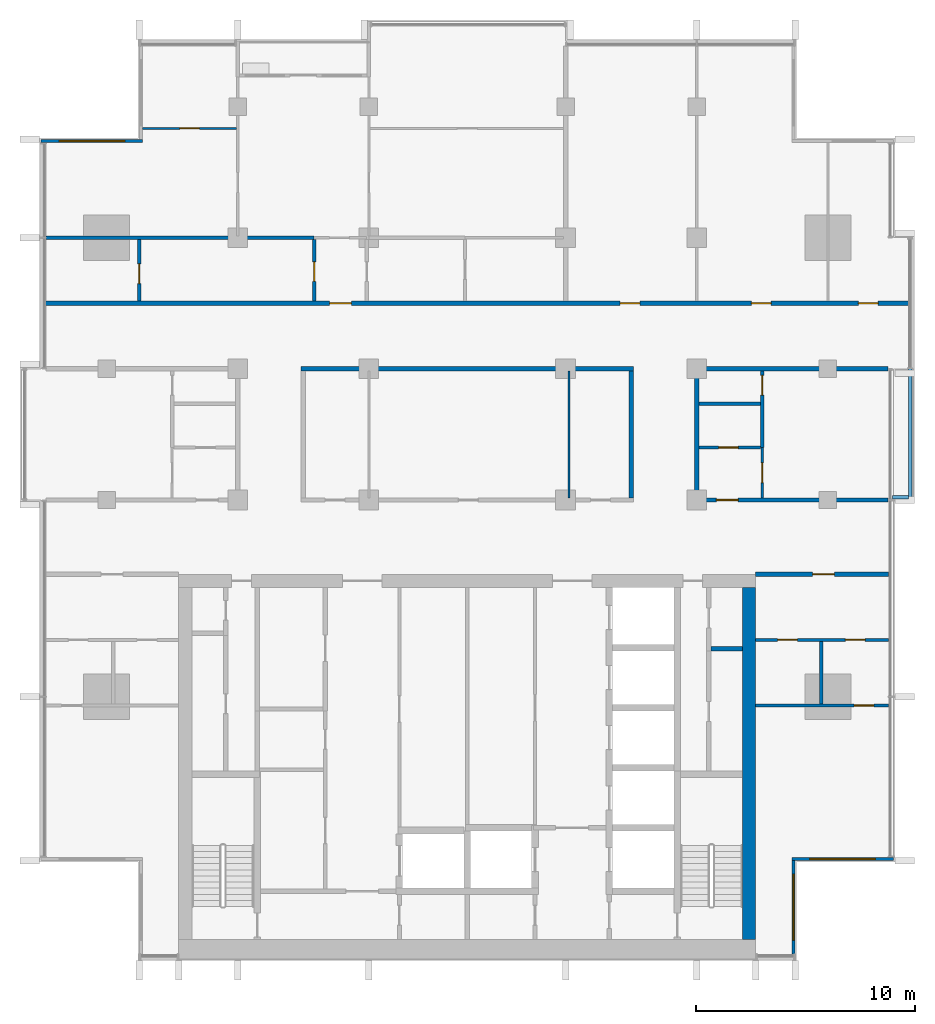
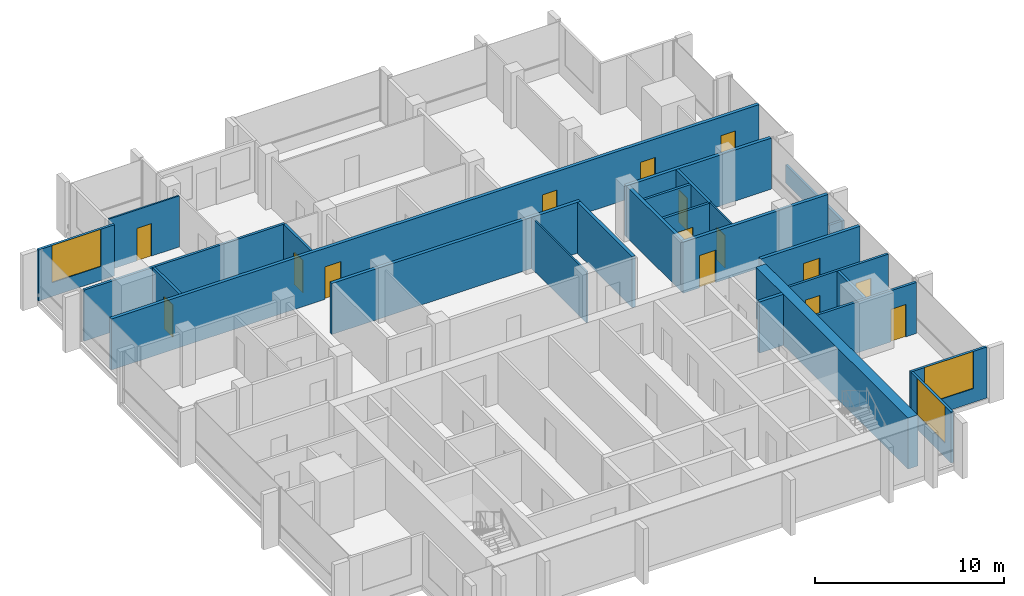
# One storey, part 9 of 15: 26 walls, 15 doors, 3 windows, 18 openings.
"""IFC4 building model written with IfcOpenShell, lengths in metres."""

from ifc_helpers import new_model, si_unit, direction, frame, frame_2d, origin, place, context, subcontext, project, spatial, rectangle, extrude, material, layer, layer_set, type_object, element, fill, save


model = new_model("IFC4")

# Units and contexts
model_context = context("Model", 3, precision=1e-05, world=origin(), true_north=direction((0.0, 1.0)))
body_context = subcontext(model_context, "Body", "Model", "MODEL_VIEW")
ifc_project = project(units=[si_unit("LENGTHUNIT", "METRE"), si_unit("AREAUNIT", "SQUARE_METRE"), si_unit("VOLUMEUNIT", "CUBIC_METRE"), si_unit("PLANEANGLEUNIT", "RADIAN"), si_unit("MASSUNIT", "GRAM", prefix="KILO")], contexts=[model_context])

# Site, building, storey
site_placement = place(None, origin())
site = spatial("IfcSite", under=ifc_project, at=site_placement, CompositionType="ELEMENT")
building_placement = place(site_placement, origin())
building = spatial("IfcBuilding", under=site, at=building_placement, Name="Finial Court Residences", CompositionType="ELEMENT")
storey_placement = place(building_placement, frame((0.0, 0.0, 226.699951171875)))
storey = spatial("IfcBuildingStorey", under=building, at=storey_placement, Name="L57", CompositionType="ELEMENT", Elevation=226.699951171875)

# Wall
ifc_material_1 = material(Name="Concrete C60/75", Category="concrete")
ifc_layer_1 = layer(ifc_material_1, 0.60009765625)
ifc_layer_set_1 = layer_set([ifc_layer_1], Name="Core outer wall 600 Concrete C60/75")
wall_type_1 = type_object("IfcWallType", Name="Core outer wall 600 Concrete C60/75", PredefinedType="SHEAR", material=ifc_layer_set_1)
wall_1_placement = place(storey_placement, frame((12.89990234375, -24.60009765625, 0.0), z_axis=(0.0, 0.0, 1.0), x_axis=(0.0, 1.0, 0.0)))
element("IfcWall", 1, at=wall_1_placement, inside=storey, type_object=wall_type_1, Name="Core outer wall L57-04", PredefinedType="SHEAR", context=body_context, shape_type="SweptSolid", body=[
    extrude(rectangle(XDim=16.10009765625, YDim=0.60009765625, at=frame_2d((8.050048828125, 0.0))), origin(), (0.0, 0.0, 1.0), 3.300048828125),
])

# Wall, opening, door
ifc_material_2 = material(Name="Gypsum board")
ifc_layer_2 = layer(ifc_material_2, 0.02490234375)
ifc_material_3 = material(Name="Acoustic mineral wool in double frame")
ifc_layer_3 = layer(ifc_material_3, 0.14990234375)
ifc_layer_4 = layer(ifc_material_2, 0.02490234375)
ifc_layer_set_2 = layer_set([ifc_layer_2, ifc_layer_3, ifc_layer_4], Name="Corridor wall 200, 1 hour")
wall_type_2 = type_object("IfcWallType", Name="Corridor wall 200, 1 hour", PredefinedType="PARTITIONING", material=ifc_layer_set_2)
wall_2_placement = place(storey_placement, frame((13.199951171875, -7.89990234375, 0.0), z_axis=(0.0, 0.0, 1.0), x_axis=(1.0, 0.0, 0.0)))
wall_2 = element("IfcWall", 2, at=wall_2_placement, inside=storey, type_object=wall_type_2, Name="Partition L57-005", PredefinedType="PARTITIONING", context=body_context, shape_type="SweptSolid", body=[
    extrude(rectangle(XDim=6.0625, YDim=0.199951171875, at=frame_2d((3.03125, 0.0))), origin(), (0.0, 0.0, 1.0), 3.300048828125),
])
opening_1_placement = place(wall_2_placement, frame((2.60009765625, 0.0, 0.0)))
opening_1 = element("IfcOpeningElement", 3, at=opening_1_placement, cuts=wall_2, Name="Opening L57-D008", PredefinedType="OPENING", context=body_context, shape_type="SweptSolid", body=[
    extrude(rectangle(XDim=1.0, YDim=2.10009765625, at=frame_2d((0.5, 1.050048828125))), frame((0.0, 0.10986328125, 0.0), z_axis=(0.0, -1.0, 0.0), x_axis=(1.0, 0.0, 0.0)), (0.0, 0.0, 1.0), 0.219970703125),
])
ifc_material_4 = material(Name="Timber door leaf in hollow metal frame", Category="wood")
door_type_1 = type_object("IfcDoorType", Name="Fire door set 1000 x 2100, 30 minutes", OperationType="SINGLE_SWING_LEFT", PredefinedType="DOOR", material=ifc_material_4)
door_1_placement = place(opening_1_placement, origin())
door_1 = element("IfcDoor", 4, at=door_1_placement, inside=storey, type_object=door_type_1, Name="Door L57-D008", OperationType="SINGLE_SWING_LEFT", OverallHeight=2.10009765625, OverallWidth=1.0, PredefinedType="DOOR", context=body_context, shape_type="SweptSolid", body=[
    extrude(rectangle(XDim=1.0, YDim=2.10009765625, at=frame_2d((0.5, 1.050048828125))), frame((0.0, 0.02490234375, 0.0), z_axis=(0.0, -1.0, 0.0), x_axis=(1.0, 0.0, 0.0)), (0.0, 0.0, 1.0), 0.050048828125),
])
fill(opening_1, door_1)

wall_3_placement = place(storey_placement, frame((10.39990234375, -4.5, 0.0), z_axis=(0.0, 0.0, 1.0), x_axis=(1.0, 0.0, 0.0)))
wall_3 = element("IfcWall", 5, at=wall_3_placement, inside=storey, type_object=wall_type_2, Name="Partition L57-008", PredefinedType="PARTITIONING", context=body_context, shape_type="SweptSolid", body=[
    extrude(rectangle(XDim=8.862548828125, YDim=0.199951171875, at=frame_2d((4.43115234375, 0.0))), origin(), (0.0, 0.0, 1.0), 3.300048828125),
])
opening_2_placement = place(wall_3_placement, frame((1.0, 0.0, 0.0)))
opening_2 = element("IfcOpeningElement", 6, at=opening_2_placement, cuts=wall_3, Name="Opening L57-D013", PredefinedType="OPENING", context=body_context, shape_type="SweptSolid", body=[
    extrude(rectangle(XDim=1.0, YDim=2.10009765625, at=frame_2d((0.5, 1.050048828125))), frame((0.0, 0.10986328125, 0.0), z_axis=(0.0, -1.0, 0.0), x_axis=(1.0, 0.0, 0.0)), (0.0, 0.0, 1.0), 0.219970703125),
])
door_2_placement = place(opening_2_placement, origin())
door_2 = element("IfcDoor", 7, at=door_2_placement, inside=storey, type_object=door_type_1, Name="Door L57-D013", OperationType="SINGLE_SWING_RIGHT", OverallHeight=2.10009765625, OverallWidth=1.0, PredefinedType="DOOR", context=body_context, shape_type="SweptSolid", body=[
    extrude(rectangle(XDim=1.0, YDim=2.10009765625, at=frame_2d((0.5, 1.050048828125))), frame((0.0, 0.02490234375, 0.0), z_axis=(0.0, -1.0, 0.0), x_axis=(1.0, 0.0, 0.0)), (0.0, 0.0, 1.0), 0.050048828125),
])
fill(opening_2, door_2)

# Walls
wall_4_placement = place(storey_placement, frame((-7.60009765625, 1.5, 0.0), z_axis=(0.0, 0.0, 1.0), x_axis=(1.0, 0.0, 0.0)))
element("IfcWall", 8, at=wall_4_placement, inside=storey, type_object=wall_type_2, Name="Partition L57-014", PredefinedType="PARTITIONING", context=body_context, shape_type="SweptSolid", body=[
    extrude(rectangle(XDim=15.2001953125, YDim=0.199951171875, at=frame_2d((7.60009765625, 0.0))), origin(), (0.0, 0.0, 1.0), 3.300048828125),
])
wall_5_placement = place(storey_placement, frame((10.39990234375, 1.5, 0.0), z_axis=(0.0, 0.0, 1.0), x_axis=(1.0, 0.0, 0.0)))
element("IfcWall", 9, at=wall_5_placement, inside=storey, type_object=wall_type_2, Name="Partition L57-015", PredefinedType="PARTITIONING", context=body_context, shape_type="SweptSolid", body=[
    extrude(rectangle(XDim=8.862548828125, YDim=0.199951171875, at=frame_2d((4.43115234375, 0.0))), origin(), (0.0, 0.0, 1.0), 3.300048828125),
])

# Wall, openings, doors
wall_6_placement = place(storey_placement, frame((-19.35009765625, 4.5, 0.0), z_axis=(0.0, 0.0, 1.0), x_axis=(1.0, 0.0, 0.0)))
wall_6 = element("IfcWall", 10, at=wall_6_placement, inside=storey, type_object=wall_type_2, Name="Partition L57-016", PredefinedType="PARTITIONING", context=body_context, shape_type="SweptSolid", body=[
    extrude(rectangle(XDim=39.60009765625, YDim=0.199951171875, at=frame_2d((19.800048828125, 0.0))), origin(), (0.0, 0.0, 1.0), 3.300048828125),
])
opening_3_placement = place(wall_6_placement, frame((13.050048828125, 0.0, 0.0)))
opening_3 = element("IfcOpeningElement", 11, at=opening_3_placement, cuts=wall_6, Name="Opening L57-D016", PredefinedType="OPENING", context=body_context, shape_type="SweptSolid", body=[
    extrude(rectangle(XDim=1.0, YDim=2.10009765625, at=frame_2d((0.5, 1.050048828125))), frame((0.0, 0.10986328125, 0.0), z_axis=(0.0, -1.0, 0.0), x_axis=(1.0, 0.0, 0.0)), (0.0, 0.0, 1.0), 0.219970703125),
])
opening_4_placement = place(wall_6_placement, frame((26.35009765625, 0.0, 0.0)))
opening_4 = element("IfcOpeningElement", 12, at=opening_4_placement, cuts=wall_6, Name="Opening L57-D017", PredefinedType="OPENING", context=body_context, shape_type="SweptSolid", body=[
    extrude(rectangle(XDim=0.89990234375, YDim=2.10009765625, at=frame_2d((0.449951171875, 1.050048828125))), frame((0.0, 0.10986328125, 0.0), z_axis=(0.0, -1.0, 0.0), x_axis=(1.0, 0.0, 0.0)), (0.0, 0.0, 1.0), 0.219970703125),
])
opening_5_placement = place(wall_6_placement, frame((32.35009765625, 0.0, 0.0)))
opening_5 = element("IfcOpeningElement", 13, at=opening_5_placement, cuts=wall_6, Name="Opening L57-D018", PredefinedType="OPENING", context=body_context, shape_type="SweptSolid", body=[
    extrude(rectangle(XDim=0.89990234375, YDim=2.10009765625, at=frame_2d((0.449951171875, 1.050048828125))), frame((0.0, 0.10986328125, 0.0), z_axis=(0.0, -1.0, 0.0), x_axis=(1.0, 0.0, 0.0)), (0.0, 0.0, 1.0), 0.219970703125),
])
opening_6_placement = place(wall_6_placement, frame((37.25, 0.0, 0.0)))
opening_6 = element("IfcOpeningElement", 14, at=opening_6_placement, cuts=wall_6, Name="Opening L57-D019", PredefinedType="OPENING", context=body_context, shape_type="SweptSolid", body=[
    extrude(rectangle(XDim=0.89990234375, YDim=2.10009765625, at=frame_2d((0.449951171875, 1.050048828125))), frame((0.0, 0.10986328125, 0.0), z_axis=(0.0, -1.0, 0.0), x_axis=(1.0, 0.0, 0.0)), (0.0, 0.0, 1.0), 0.219970703125),
])
door_3_placement = place(opening_3_placement, origin())
door_3 = element("IfcDoor", 15, at=door_3_placement, inside=storey, type_object=door_type_1, Name="Door L57-D016", OperationType="SINGLE_SWING_RIGHT", OverallHeight=2.10009765625, OverallWidth=1.0, PredefinedType="DOOR", context=body_context, shape_type="SweptSolid", body=[
    extrude(rectangle(XDim=1.0, YDim=2.10009765625, at=frame_2d((0.5, 1.050048828125))), frame((0.0, 0.02490234375, 0.0), z_axis=(0.0, -1.0, 0.0), x_axis=(1.0, 0.0, 0.0)), (0.0, 0.0, 1.0), 0.050048828125),
])
fill(opening_3, door_3)
door_type_2 = type_object("IfcDoorType", Name="Fire door set 900 x 2100, 30 minutes", OperationType="SINGLE_SWING_LEFT", PredefinedType="DOOR", material=ifc_material_4)
door_4_placement = place(opening_4_placement, origin())
door_4 = element("IfcDoor", 16, at=door_4_placement, inside=storey, type_object=door_type_2, Name="Door L57-D017", OperationType="SINGLE_SWING_LEFT", OverallHeight=2.10009765625, OverallWidth=0.89990234375, PredefinedType="DOOR", context=body_context, shape_type="SweptSolid", body=[
    extrude(rectangle(XDim=0.89990234375, YDim=2.10009765625, at=frame_2d((0.449951171875, 1.050048828125))), frame((0.0, 0.02490234375, 0.0), z_axis=(0.0, -1.0, 0.0), x_axis=(1.0, 0.0, 0.0)), (0.0, 0.0, 1.0), 0.050048828125),
])
fill(opening_4, door_4)
door_5_placement = place(opening_5_placement, origin())
door_5 = element("IfcDoor", 17, at=door_5_placement, inside=storey, type_object=door_type_2, Name="Door L57-D018", OperationType="SINGLE_SWING_LEFT", OverallHeight=2.10009765625, OverallWidth=0.89990234375, PredefinedType="DOOR", context=body_context, shape_type="SweptSolid", body=[
    extrude(rectangle(XDim=0.89990234375, YDim=2.10009765625, at=frame_2d((0.449951171875, 1.050048828125))), frame((0.0, 0.02490234375, 0.0), z_axis=(0.0, -1.0, 0.0), x_axis=(1.0, 0.0, 0.0)), (0.0, 0.0, 1.0), 0.050048828125),
])
fill(opening_5, door_5)
door_6_placement = place(opening_6_placement, origin())
door_6 = element("IfcDoor", 18, at=door_6_placement, inside=storey, type_object=door_type_2, Name="Door L57-D019", OperationType="SINGLE_SWING_LEFT", OverallHeight=2.10009765625, OverallWidth=0.89990234375, PredefinedType="DOOR", context=body_context, shape_type="SweptSolid", body=[
    extrude(rectangle(XDim=0.89990234375, YDim=2.10009765625, at=frame_2d((0.449951171875, 1.050048828125))), frame((0.0, 0.02490234375, 0.0), z_axis=(0.0, -1.0, 0.0), x_axis=(1.0, 0.0, 0.0)), (0.0, 0.0, 1.0), 0.050048828125),
])
fill(opening_6, door_6)

# Walls
for number, where, z_axis, x_axis, name in (
    (19, (7.5, -4.39990234375, 0.0), (0.0, 0.0, 1.0), (0.0, 1.0, 0.0), "Partition L57-037"),
    (20, (10.5, -4.39990234375, 0.0), (0.0, 0.0, 1.0), (0.0, 1.0, 0.0), "Partition L57-038"),
):
    element("IfcWall", number, at=place(storey_placement, frame(where, z_axis=z_axis, x_axis=x_axis)), inside=storey, type_object=wall_type_2, Name=name, PredefinedType="PARTITIONING", context=body_context, shape_type="SweptSolid", body=[
        extrude(rectangle(XDim=5.7998046875, YDim=0.199951171875, at=frame_2d((2.89990234375, 0.0))), origin(), (0.0, 0.0, 1.0), 3.300048828125),
    ])

# Wall, opening, door
ifc_layer_5 = layer(ifc_material_2, 0.012451171875)
ifc_material_5 = material(Name="Mineral wool in light-gauge frame")
ifc_layer_6 = layer(ifc_material_5, 0.074951171875)
ifc_layer_7 = layer(ifc_material_2, 0.012451171875)
ifc_layer_set_3 = layer_set([ifc_layer_5, ifc_layer_6, ifc_layer_7], Name="Gypsum board partition 100")
wall_type_3 = type_object("IfcWallType", Name="Gypsum board partition 100", PredefinedType="PARTITIONING", material=ifc_layer_set_3)
wall_7_placement = place(storey_placement, frame((-14.85009765625, 12.5, 0.0), z_axis=(0.0, 0.0, 1.0), x_axis=(1.0, 0.0, 0.0)))
wall_7 = element("IfcWall", 21, at=wall_7_placement, inside=storey, type_object=wall_type_3, Name="Partition L57-021", PredefinedType="PARTITIONING", context=body_context, shape_type="SweptSolid", body=[
    extrude(rectangle(XDim=4.300048828125, YDim=0.10009765625, at=frame_2d((2.14990234375, 0.0))), origin(), (0.0, 0.0, 1.0), 3.300048828125),
])
opening_7_placement = place(wall_7_placement, frame((1.699951171875, 0.0, 0.0)))
opening_7 = element("IfcOpeningElement", 22, at=opening_7_placement, cuts=wall_7, Name="Opening L57-D021", PredefinedType="OPENING", context=body_context, shape_type="SweptSolid", body=[
    extrude(rectangle(XDim=0.89990234375, YDim=2.10009765625, at=frame_2d((0.449951171875, 1.050048828125))), frame((0.0, 0.06005859375, 0.0), z_axis=(0.0, -1.0, 0.0), x_axis=(1.0, 0.0, 0.0)), (0.0, 0.0, 1.0), 0.1201171875),
])
ifc_material_6 = material(Name="Timber door leaf in timber frame", Category="wood")
door_type_3 = type_object("IfcDoorType", Name="Door set 900 x 2100", OperationType="SINGLE_SWING_LEFT", PredefinedType="DOOR", material=ifc_material_6)
door_7_placement = place(opening_7_placement, origin())
door_7 = element("IfcDoor", 23, at=door_7_placement, inside=storey, type_object=door_type_3, Name="Door L57-D021", OperationType="SINGLE_SWING_RIGHT", OverallHeight=2.10009765625, OverallWidth=0.89990234375, PredefinedType="DOOR", context=body_context, shape_type="SweptSolid", body=[
    extrude(rectangle(XDim=0.89990234375, YDim=2.10009765625, at=frame_2d((0.449951171875, 1.050048828125))), frame((0.0, 0.02490234375, 0.0), z_axis=(0.0, -1.0, 0.0), x_axis=(1.0, 0.0, 0.0)), (0.0, 0.0, 1.0), 0.050048828125),
])
fill(opening_7, door_7)

# Wall
wall_8_placement = place(storey_placement, frame((4.64990234375, -4.39990234375, 0.0), z_axis=(0.0, 0.0, 1.0), x_axis=(0.0, 1.0, 0.0)))
element("IfcWall", 24, at=wall_8_placement, inside=storey, type_object=wall_type_3, Name="Partition L57-036", PredefinedType="PARTITIONING", context=body_context, shape_type="SweptSolid", body=[
    extrude(rectangle(XDim=5.7998046875, YDim=0.10009765625, at=frame_2d((2.89990234375, 0.0))), origin(), (0.0, 0.0, 1.0), 3.300048828125),
])

# Wall, opening, door
wall_9_placement = place(storey_placement, frame((13.5, -4.39990234375, 0.0), z_axis=(0.0, 0.0, 1.0), x_axis=(0.0, 1.0, 0.0)))
wall_9 = element("IfcWall", 25, at=wall_9_placement, inside=storey, type_object=wall_type_3, Name="Partition L57-040", PredefinedType="PARTITIONING", context=body_context, shape_type="SweptSolid", body=[
    extrude(rectangle(XDim=2.2998046875, YDim=0.10009765625, at=frame_2d((1.14990234375, 0.0))), origin(), (0.0, 0.0, 1.0), 3.300048828125),
])
opening_8_placement = place(wall_9_placement, frame((0.699951171875, 0.0, 0.0)))
opening_8 = element("IfcOpeningElement", 26, at=opening_8_placement, cuts=wall_9, Name="Opening L57-D031", PredefinedType="OPENING", context=body_context, shape_type="SweptSolid", body=[
    extrude(rectangle(XDim=0.89990234375, YDim=2.10009765625, at=frame_2d((0.449951171875, 1.050048828125))), frame((0.0, 0.06005859375, 0.0), z_axis=(0.0, -1.0, 0.0), x_axis=(1.0, 0.0, 0.0)), (0.0, 0.0, 1.0), 0.1201171875),
])
door_8_placement = place(opening_8_placement, origin())
door_8 = element("IfcDoor", 27, at=door_8_placement, inside=storey, type_object=door_type_3, Name="Door L57-D031", OperationType="SINGLE_SWING_LEFT", OverallHeight=2.10009765625, OverallWidth=0.89990234375, PredefinedType="DOOR", context=body_context, shape_type="SweptSolid", body=[
    extrude(rectangle(XDim=0.89990234375, YDim=2.10009765625, at=frame_2d((0.449951171875, 1.050048828125))), frame((0.0, 0.02490234375, 0.0), z_axis=(0.0, -1.0, 0.0), x_axis=(1.0, 0.0, 0.0)), (0.0, 0.0, 1.0), 0.050048828125),
])
fill(opening_8, door_8)

ifc_material_7 = material(Name="Moisture-resistant gypsum board")
ifc_layer_8 = layer(ifc_material_7, 0.012451171875)
ifc_layer_9 = layer(ifc_material_5, 0.125)
ifc_layer_10 = layer(ifc_material_7, 0.012451171875)
ifc_layer_set_4 = layer_set([ifc_layer_8, ifc_layer_9, ifc_layer_10], Name="Gypsum board wet-area partition 150")
wall_type_4 = type_object("IfcWallType", Name="Gypsum board wet-area partition 150", PredefinedType="PARTITIONING", material=ifc_layer_set_4)
wall_10_placement = place(storey_placement, frame((13.199951171875, -13.89990234375, 0.0), z_axis=(0.0, 0.0, 1.0), x_axis=(1.0, 0.0, 0.0)))
wall_10 = element("IfcWall", 28, at=wall_10_placement, inside=storey, type_object=wall_type_4, Name="Partition L57-001", PredefinedType="PARTITIONING", context=body_context, shape_type="SweptSolid", body=[
    extrude(rectangle(XDim=6.0625, YDim=0.14990234375, at=frame_2d((3.03125, 0.0))), origin(), (0.0, 0.0, 1.0), 3.300048828125),
])
opening_9_placement = place(wall_10_placement, frame((4.5, 0.0, 0.0)))
opening_9 = element("IfcOpeningElement", 29, at=opening_9_placement, cuts=wall_10, Name="Opening L57-D002", PredefinedType="OPENING", context=body_context, shape_type="SweptSolid", body=[
    extrude(rectangle(XDim=0.89990234375, YDim=2.10009765625, at=frame_2d((0.449951171875, 1.050048828125))), frame((0.0, 0.0849609375, 0.0), z_axis=(0.0, -1.0, 0.0), x_axis=(1.0, 0.0, 0.0)), (0.0, 0.0, 1.0), 0.169921875),
])
door_9_placement = place(opening_9_placement, origin())
door_9 = element("IfcDoor", 30, at=door_9_placement, inside=storey, type_object=door_type_3, Name="Door L57-D002", OperationType="SINGLE_SWING_RIGHT", OverallHeight=2.10009765625, OverallWidth=0.89990234375, PredefinedType="DOOR", context=body_context, shape_type="SweptSolid", body=[
    extrude(rectangle(XDim=0.89990234375, YDim=2.10009765625, at=frame_2d((0.449951171875, 1.050048828125))), frame((0.0, 0.02490234375, 0.0), z_axis=(0.0, -1.0, 0.0), x_axis=(1.0, 0.0, 0.0)), (0.0, 0.0, 1.0), 0.050048828125),
])
fill(opening_9, door_9)

# Wall, openings, doors
wall_11_placement = place(storey_placement, frame((13.199951171875, -10.89990234375, 0.0), z_axis=(0.0, 0.0, 1.0), x_axis=(1.0, 0.0, 0.0)))
wall_11 = element("IfcWall", 31, at=wall_11_placement, inside=storey, type_object=wall_type_4, Name="Partition L57-003", PredefinedType="PARTITIONING", context=body_context, shape_type="SweptSolid", body=[
    extrude(rectangle(XDim=6.0625, YDim=0.14990234375, at=frame_2d((3.03125, 0.0))), origin(), (0.0, 0.0, 1.0), 3.300048828125),
])
opening_10_placement = place(wall_11_placement, frame((1.0, 0.0, 0.0)))
opening_10 = element("IfcOpeningElement", 32, at=opening_10_placement, cuts=wall_11, Name="Opening L57-D005", PredefinedType="OPENING", context=body_context, shape_type="SweptSolid", body=[
    extrude(rectangle(XDim=0.89990234375, YDim=2.10009765625, at=frame_2d((0.449951171875, 1.050048828125))), frame((0.0, 0.0849609375, 0.0), z_axis=(0.0, -1.0, 0.0), x_axis=(1.0, 0.0, 0.0)), (0.0, 0.0, 1.0), 0.169921875),
])
opening_11_placement = place(wall_11_placement, frame((4.10009765625, 0.0, 0.0)))
opening_11 = element("IfcOpeningElement", 33, at=opening_11_placement, cuts=wall_11, Name="Opening L57-D006", PredefinedType="OPENING", context=body_context, shape_type="SweptSolid", body=[
    extrude(rectangle(XDim=0.89990234375, YDim=2.10009765625, at=frame_2d((0.449951171875, 1.050048828125))), frame((0.0, 0.0849609375, 0.0), z_axis=(0.0, -1.0, 0.0), x_axis=(1.0, 0.0, 0.0)), (0.0, 0.0, 1.0), 0.169921875),
])
door_10_placement = place(opening_10_placement, origin())
door_10 = element("IfcDoor", 34, at=door_10_placement, inside=storey, type_object=door_type_3, Name="Door L57-D005", OperationType="SINGLE_SWING_LEFT", OverallHeight=2.10009765625, OverallWidth=0.89990234375, PredefinedType="DOOR", context=body_context, shape_type="SweptSolid", body=[
    extrude(rectangle(XDim=0.89990234375, YDim=2.10009765625, at=frame_2d((0.449951171875, 1.050048828125))), frame((0.0, 0.02490234375, 0.0), z_axis=(0.0, -1.0, 0.0), x_axis=(1.0, 0.0, 0.0)), (0.0, 0.0, 1.0), 0.050048828125),
])
fill(opening_10, door_10)
door_11_placement = place(opening_11_placement, origin())
door_11 = element("IfcDoor", 35, at=door_11_placement, inside=storey, type_object=door_type_3, Name="Door L57-D006", OperationType="SINGLE_SWING_RIGHT", OverallHeight=2.10009765625, OverallWidth=0.89990234375, PredefinedType="DOOR", context=body_context, shape_type="SweptSolid", body=[
    extrude(rectangle(XDim=0.89990234375, YDim=2.10009765625, at=frame_2d((0.449951171875, 1.050048828125))), frame((0.0, 0.02490234375, 0.0), z_axis=(0.0, -1.0, 0.0), x_axis=(1.0, 0.0, 0.0)), (0.0, 0.0, 1.0), 0.050048828125),
])
fill(opening_11, door_11)

# Wall, opening, door
wall_12_placement = place(storey_placement, frame((10.60009765625, -2.10009765625, 0.0), z_axis=(0.0, 0.0, 1.0), x_axis=(1.0, 0.0, 0.0)))
wall_12 = element("IfcWall", 36, at=wall_12_placement, inside=storey, type_object=wall_type_4, Name="Partition L57-010", PredefinedType="PARTITIONING", context=body_context, shape_type="SweptSolid", body=[
    extrude(rectangle(XDim=2.824951171875, YDim=0.14990234375, at=frame_2d((1.41259765625, 0.0))), origin(), (0.0, 0.0, 1.0), 3.300048828125),
])
opening_12_placement = place(wall_12_placement, frame((0.89990234375, 0.0, 0.0)))
opening_12 = element("IfcOpeningElement", 37, at=opening_12_placement, cuts=wall_12, Name="Opening L57-D015", PredefinedType="OPENING", context=body_context, shape_type="SweptSolid", body=[
    extrude(rectangle(XDim=0.89990234375, YDim=2.10009765625, at=frame_2d((0.449951171875, 1.050048828125))), frame((0.0, 0.0849609375, 0.0), z_axis=(0.0, -1.0, 0.0), x_axis=(1.0, 0.0, 0.0)), (0.0, 0.0, 1.0), 0.169921875),
])
door_12_placement = place(opening_12_placement, origin())
door_12 = element("IfcDoor", 38, at=door_12_placement, inside=storey, type_object=door_type_3, Name="Door L57-D015", OperationType="SINGLE_SWING_LEFT", OverallHeight=2.10009765625, OverallWidth=0.89990234375, PredefinedType="DOOR", context=body_context, shape_type="SweptSolid", body=[
    extrude(rectangle(XDim=0.89990234375, YDim=2.10009765625, at=frame_2d((0.449951171875, 1.050048828125))), frame((0.0, 0.02490234375, 0.0), z_axis=(0.0, -1.0, 0.0), x_axis=(1.0, 0.0, 0.0)), (0.0, 0.0, 1.0), 0.050048828125),
])
fill(opening_12, door_12)

# Walls
wall_13_placement = place(storey_placement, frame((10.60009765625, -0.10009765625, 0.0), z_axis=(0.0, 0.0, 1.0), x_axis=(1.0, 0.0, 0.0)))
element("IfcWall", 39, at=wall_13_placement, inside=storey, type_object=wall_type_4, Name="Partition L57-012", PredefinedType="PARTITIONING", context=body_context, shape_type="SweptSolid", body=[
    extrude(rectangle(XDim=2.824951171875, YDim=0.14990234375, at=frame_2d((1.41259765625, 0.0))), origin(), (0.0, 0.0, 1.0), 3.300048828125),
])
wall_14_placement = place(storey_placement, frame((-19.262451171875, 7.5, 0.0), z_axis=(0.0, 0.0, 1.0), x_axis=(1.0, 0.0, 0.0)))
element("IfcWall", 40, at=wall_14_placement, inside=storey, type_object=wall_type_4, Name="Partition L57-019", PredefinedType="PARTITIONING", context=body_context, shape_type="SweptSolid", body=[
    extrude(rectangle(XDim=12.262451171875, YDim=0.14990234375, at=frame_2d((6.13134765625, 0.0))), origin(), (0.0, 0.0, 1.0), 3.300048828125),
])

# Wall, opening, door
wall_15_placement = place(storey_placement, frame((-15.0, 4.60009765625, 0.0), z_axis=(0.0, 0.0, 1.0), x_axis=(0.0, 1.0, 0.0)))
wall_15 = element("IfcWall", 41, at=wall_15_placement, inside=storey, type_object=wall_type_4, Name="Partition L57-024", PredefinedType="PARTITIONING", context=body_context, shape_type="SweptSolid", body=[
    extrude(rectangle(XDim=2.824951171875, YDim=0.14990234375, at=frame_2d((1.41259765625, 0.0))), origin(), (0.0, 0.0, 1.0), 3.300048828125),
])
opening_13_placement = place(wall_15_placement, frame((0.800048828125, 0.0, 0.0)))
opening_13 = element("IfcOpeningElement", 42, at=opening_13_placement, cuts=wall_15, Name="Opening L57-D023", PredefinedType="OPENING", context=body_context, shape_type="SweptSolid", body=[
    extrude(rectangle(XDim=0.89990234375, YDim=2.10009765625, at=frame_2d((0.449951171875, 1.050048828125))), frame((0.0, 0.0849609375, 0.0), z_axis=(0.0, -1.0, 0.0), x_axis=(1.0, 0.0, 0.0)), (0.0, 0.0, 1.0), 0.169921875),
])
door_13_placement = place(opening_13_placement, origin())
door_13 = element("IfcDoor", 43, at=door_13_placement, inside=storey, type_object=door_type_3, Name="Door L57-D023", OperationType="SINGLE_SWING_RIGHT", OverallHeight=2.10009765625, OverallWidth=0.89990234375, PredefinedType="DOOR", context=body_context, shape_type="SweptSolid", body=[
    extrude(rectangle(XDim=0.89990234375, YDim=2.10009765625, at=frame_2d((0.449951171875, 1.050048828125))), frame((0.0, 0.02490234375, 0.0), z_axis=(0.0, -1.0, 0.0), x_axis=(1.0, 0.0, 0.0)), (0.0, 0.0, 1.0), 0.050048828125),
])
fill(opening_13, door_13)

wall_16_placement = place(storey_placement, frame((-7.0, 4.60009765625, 0.0), z_axis=(0.0, 0.0, 1.0), x_axis=(0.0, 1.0, 0.0)))
wall_16 = element("IfcWall", 44, at=wall_16_placement, inside=storey, type_object=wall_type_4, Name="Partition L57-030", PredefinedType="PARTITIONING", context=body_context, shape_type="SweptSolid", body=[
    extrude(rectangle(XDim=2.824951171875, YDim=0.14990234375, at=frame_2d((1.41259765625, 0.0))), origin(), (0.0, 0.0, 1.0), 3.300048828125),
])
opening_14_placement = place(wall_16_placement, frame((0.89990234375, 0.0, 0.0)))
opening_14 = element("IfcOpeningElement", 45, at=opening_14_placement, cuts=wall_16, Name="Opening L57-D027", PredefinedType="OPENING", context=body_context, shape_type="SweptSolid", body=[
    extrude(rectangle(XDim=0.89990234375, YDim=2.10009765625, at=frame_2d((0.449951171875, 1.050048828125))), frame((0.0, 0.0849609375, 0.0), z_axis=(0.0, -1.0, 0.0), x_axis=(1.0, 0.0, 0.0)), (0.0, 0.0, 1.0), 0.169921875),
])
door_14_placement = place(opening_14_placement, origin())
door_14 = element("IfcDoor", 46, at=door_14_placement, inside=storey, type_object=door_type_3, Name="Door L57-D027", OperationType="SINGLE_SWING_RIGHT", OverallHeight=2.10009765625, OverallWidth=0.89990234375, PredefinedType="DOOR", context=body_context, shape_type="SweptSolid", body=[
    extrude(rectangle(XDim=0.89990234375, YDim=2.10009765625, at=frame_2d((0.449951171875, 1.050048828125))), frame((0.0, 0.02490234375, 0.0), z_axis=(0.0, -1.0, 0.0), x_axis=(1.0, 0.0, 0.0)), (0.0, 0.0, 1.0), 0.050048828125),
])
fill(opening_14, door_14)

wall_17_placement = place(storey_placement, frame((13.5, -2.10009765625, 0.0), z_axis=(0.0, 0.0, 1.0), x_axis=(0.0, 1.0, 0.0)))
wall_17 = element("IfcWall", 47, at=wall_17_placement, inside=storey, type_object=wall_type_4, Name="Partition L57-041", PredefinedType="PARTITIONING", context=body_context, shape_type="SweptSolid", body=[
    extrude(rectangle(XDim=3.5, YDim=0.14990234375, at=frame_2d((1.75, 0.0))), origin(), (0.0, 0.0, 1.0), 3.300048828125),
])
opening_15_placement = place(wall_17_placement, frame((2.39990234375, 0.0, 0.0)))
opening_15 = element("IfcOpeningElement", 48, at=opening_15_placement, cuts=wall_17, Name="Opening L57-D032", PredefinedType="OPENING", context=body_context, shape_type="SweptSolid", body=[
    extrude(rectangle(XDim=0.89990234375, YDim=2.10009765625, at=frame_2d((0.449951171875, 1.050048828125))), frame((0.0, 0.0849609375, 0.0), z_axis=(0.0, -1.0, 0.0), x_axis=(1.0, 0.0, 0.0)), (0.0, 0.0, 1.0), 0.169921875),
])
door_15_placement = place(opening_15_placement, origin())
door_15 = element("IfcDoor", 49, at=door_15_placement, inside=storey, type_object=door_type_3, Name="Door L57-D032", OperationType="SINGLE_SWING_LEFT", OverallHeight=2.10009765625, OverallWidth=0.89990234375, PredefinedType="DOOR", context=body_context, shape_type="SweptSolid", body=[
    extrude(rectangle(XDim=0.89990234375, YDim=2.10009765625, at=frame_2d((0.449951171875, 1.050048828125))), frame((0.0, 0.02490234375, 0.0), z_axis=(0.0, -1.0, 0.0), x_axis=(1.0, 0.0, 0.0)), (0.0, 0.0, 1.0), 0.050048828125),
])
fill(opening_15, door_15)

# Walls
wall_18_placement = place(storey_placement, frame((16.199951171875, -13.824951171875, 0.0), z_axis=(0.0, 0.0, 1.0), x_axis=(0.0, 1.0, 0.0)))
element("IfcWall", 50, at=wall_18_placement, inside=storey, type_object=wall_type_4, Name="Partition L57-042", PredefinedType="PARTITIONING", context=body_context, shape_type="SweptSolid", body=[
    extrude(rectangle(XDim=2.849853515625, YDim=0.14990234375, at=frame_2d((1.4248046875, 0.0))), origin(), (0.0, 0.0, 1.0), 3.300048828125),
])
ifc_material_8 = material(Name="Concrete C35/45", Category="concrete")
ifc_layer_11 = layer(ifc_material_8, 0.14990234375)
ifc_layer_set_5 = layer_set([ifc_layer_11], Name="Ledge parapet, Concrete C35/45 150")
wall_type_5 = type_object("IfcWallType", Name="Ledge parapet, Concrete C35/45 150", PredefinedType="PARAPET", material=ifc_layer_set_5)
wall_19_placement = place(storey_placement, frame((20.27490234375, 1.552490234375, 0.0), z_axis=(0.0, 0.0, 1.0), x_axis=(0.0, -1.0, 0.0)))
element("IfcWall", 51, at=wall_19_placement, inside=storey, type_object=wall_type_5, Name="E-L57-LED1-P1", PredefinedType="PARAPET", context=body_context, shape_type="SweptSolid", body=[
    extrude(rectangle(XDim=6.00244140625, YDim=0.14990234375, at=frame_2d((3.001220703125, 0.0))), origin(), (0.0, 0.0, 1.0), 1.150146484375),
])
wall_20_placement = place(storey_placement, frame((20.199951171875, -4.375, 0.0), z_axis=(0.0, 0.0, 1.0), x_axis=(-1.0, 0.0, 0.0)))
element("IfcWall", 52, at=wall_20_placement, inside=storey, type_object=wall_type_5, Name="E-L57-LED1-P2", PredefinedType="PARAPET", context=body_context, shape_type="SweptSolid", body=[
    extrude(rectangle(XDim=0.75244140625, YDim=0.14990234375, at=frame_2d((0.376220703125, 0.0))), origin(), (0.0, 0.0, 1.0), 1.150146484375),
])

# Wall, opening, window
ifc_material_9 = material(Name="Natural limestone", Category="masonry")
ifc_layer_12 = layer(ifc_material_9, 0.14990234375)
ifc_layer_set_6 = layer_set([ifc_layer_12], Name="Limestone clad wall 150")
wall_type_6 = type_object("IfcWallType", Name="Limestone clad wall 150", PredefinedType="SOLIDWALL", material=ifc_layer_set_6)
wall_21_placement = place(storey_placement, frame((14.925048828125, -21.0, 0.0), z_axis=(0.0, 0.0, 1.0), x_axis=(0.0, -1.0, 0.0)))
wall_21 = element("IfcWall", 53, at=wall_21_placement, inside=storey, type_object=wall_type_6, Name="E-L57-NWE14", PredefinedType="SOLIDWALL", context=body_context, shape_type="SweptSolid", body=[
    extrude(rectangle(XDim=4.262451171875, YDim=0.14990234375, at=frame_2d((2.13134765625, 0.0))), origin(), (0.0, 0.0, 1.0), 3.300048828125),
])
opening_16_placement = place(wall_21_placement, frame((0.63134765625, 0.0, 0.89990234375)))
opening_16 = element("IfcOpeningElement", 54, at=opening_16_placement, cuts=wall_21, Name="Opening WE57-03", PredefinedType="OPENING", context=body_context, shape_type="SweptSolid", body=[
    extrude(rectangle(XDim=3.0, YDim=2.39990234375, at=frame_2d((1.5, 1.199951171875))), frame((0.0, 0.0849609375, 0.0), z_axis=(0.0, -1.0, 0.0), x_axis=(1.0, 0.0, 0.0)), (0.0, 0.0, 1.0), 0.169921875),
])
ifc_material_10 = material(Name="Clear low-e glass", Category="glass")
window_type = type_object("IfcWindowType", Name="Corner window 3000 x 2400", PartitioningType="SINGLE_PANEL", PredefinedType="WINDOW", material=ifc_material_10)
window_1_placement = place(opening_16_placement, origin())
window_1 = element("IfcWindow", 55, at=window_1_placement, inside=storey, type_object=window_type, Name="E-L57-NWE14-W1", OverallHeight=2.39990234375, OverallWidth=3.0, PartitioningType="SINGLE_PANEL", PredefinedType="WINDOW", context=body_context, shape_type="SweptSolid", body=[
    extrude(rectangle(XDim=3.0, YDim=2.39990234375, at=frame_2d((1.5, 1.199951171875))), frame((0.0, 0.030029296875, 0.0), z_axis=(0.0, -1.0, 0.0), x_axis=(1.0, 0.0, 0.0)), (0.0, 0.0, 1.0), 0.06005859375),
])
fill(opening_16, window_1)

wall_22_placement = place(storey_placement, frame((19.5, -20.925048828125, 0.0), z_axis=(0.0, 0.0, 1.0), x_axis=(-1.0, 0.0, 0.0)))
wall_22 = element("IfcWall", 56, at=wall_22_placement, inside=storey, type_object=wall_type_6, Name="E-L57-NWS15", PredefinedType="SOLIDWALL", context=body_context, shape_type="SweptSolid", body=[
    extrude(rectangle(XDim=4.64990234375, YDim=0.14990234375, at=frame_2d((2.324951171875, 0.0))), origin(), (0.0, 0.0, 1.0), 3.300048828125),
])
opening_17_placement = place(wall_22_placement, frame((0.824951171875, 0.0, 0.89990234375)))
opening_17 = element("IfcOpeningElement", 57, at=opening_17_placement, cuts=wall_22, Name="Opening WE57-04", PredefinedType="OPENING", context=body_context, shape_type="SweptSolid", body=[
    extrude(rectangle(XDim=3.0, YDim=2.39990234375, at=frame_2d((1.5, 1.199951171875))), frame((0.0, 0.0849609375, 0.0), z_axis=(0.0, -1.0, 0.0), x_axis=(1.0, 0.0, 0.0)), (0.0, 0.0, 1.0), 0.169921875),
])
window_2_placement = place(opening_17_placement, origin())
window_2 = element("IfcWindow", 58, at=window_2_placement, inside=storey, type_object=window_type, Name="E-L57-NWS15-W1", OverallHeight=2.39990234375, OverallWidth=3.0, PartitioningType="SINGLE_PANEL", PredefinedType="WINDOW", context=body_context, shape_type="SweptSolid", body=[
    extrude(rectangle(XDim=3.0, YDim=2.39990234375, at=frame_2d((1.5, 1.199951171875))), frame((0.0, 0.030029296875, 0.0), z_axis=(0.0, -1.0, 0.0), x_axis=(1.0, 0.0, 0.0)), (0.0, 0.0, 1.0), 0.06005859375),
])
fill(opening_17, window_2)

wall_23_placement = place(storey_placement, frame((-19.5, 11.925048828125, 0.0), z_axis=(0.0, 0.0, 1.0), x_axis=(1.0, 0.0, 0.0)))
wall_23 = element("IfcWall", 59, at=wall_23_placement, inside=storey, type_object=wall_type_6, Name="E-L57-NWN17", PredefinedType="SOLIDWALL", context=body_context, shape_type="SweptSolid", body=[
    extrude(rectangle(XDim=4.64990234375, YDim=0.14990234375, at=frame_2d((2.324951171875, 0.0))), origin(), (0.0, 0.0, 1.0), 3.300048828125),
])
opening_18_placement = place(wall_23_placement, frame((0.824951171875, 0.0, 0.89990234375)))
opening_18 = element("IfcOpeningElement", 60, at=opening_18_placement, cuts=wall_23, Name="Opening WE57-06", PredefinedType="OPENING", context=body_context, shape_type="SweptSolid", body=[
    extrude(rectangle(XDim=3.0, YDim=2.39990234375, at=frame_2d((1.5, 1.199951171875))), frame((0.0, 0.0849609375, 0.0), z_axis=(0.0, -1.0, 0.0), x_axis=(1.0, 0.0, 0.0)), (0.0, 0.0, 1.0), 0.169921875),
])
window_3_placement = place(opening_18_placement, origin())
window_3 = element("IfcWindow", 61, at=window_3_placement, inside=storey, type_object=window_type, Name="E-L57-NWN17-W1", OverallHeight=2.39990234375, OverallWidth=3.0, PartitioningType="SINGLE_PANEL", PredefinedType="WINDOW", context=body_context, shape_type="SweptSolid", body=[
    extrude(rectangle(XDim=3.0, YDim=2.39990234375, at=frame_2d((1.5, 1.199951171875))), frame((0.0, 0.030029296875, 0.0), z_axis=(0.0, -1.0, 0.0), x_axis=(1.0, 0.0, 0.0)), (0.0, 0.0, 1.0), 0.06005859375),
])
fill(opening_18, window_3)

# Wall
ifc_material_11 = material(Name="Fire-rated gypsum board partition")
ifc_layer_13 = layer(ifc_material_11, 0.199951171875)
ifc_layer_set_7 = layer_set([ifc_layer_13], Name="Riser room wall 200 EI 120")
wall_type_7 = type_object("IfcWallType", Name="Riser room wall 200 EI 120", PredefinedType="PARTITIONING", material=ifc_layer_set_7)
wall_24_placement = place(storey_placement, frame((11.14990234375, -11.300048828125, 0.0), z_axis=(0.0, 0.0, 1.0), x_axis=(1.0, 0.0, 0.0)))
element("IfcWall", 62, at=wall_24_placement, inside=storey, type_object=wall_type_7, Name="Core partition L57-14", PredefinedType="PARTITIONING", context=body_context, shape_type="SweptSolid", body=[
    extrude(rectangle(XDim=1.4501953125, YDim=0.199951171875, at=frame_2d((0.72509765625, 0.0))), origin(), (0.0, 0.0, 1.0), 3.300048828125),
])

save(model, "model.ifc")
